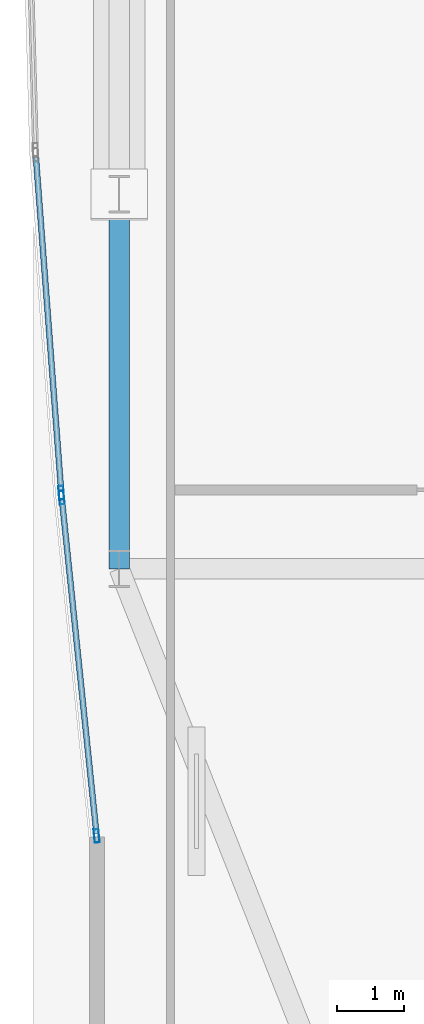
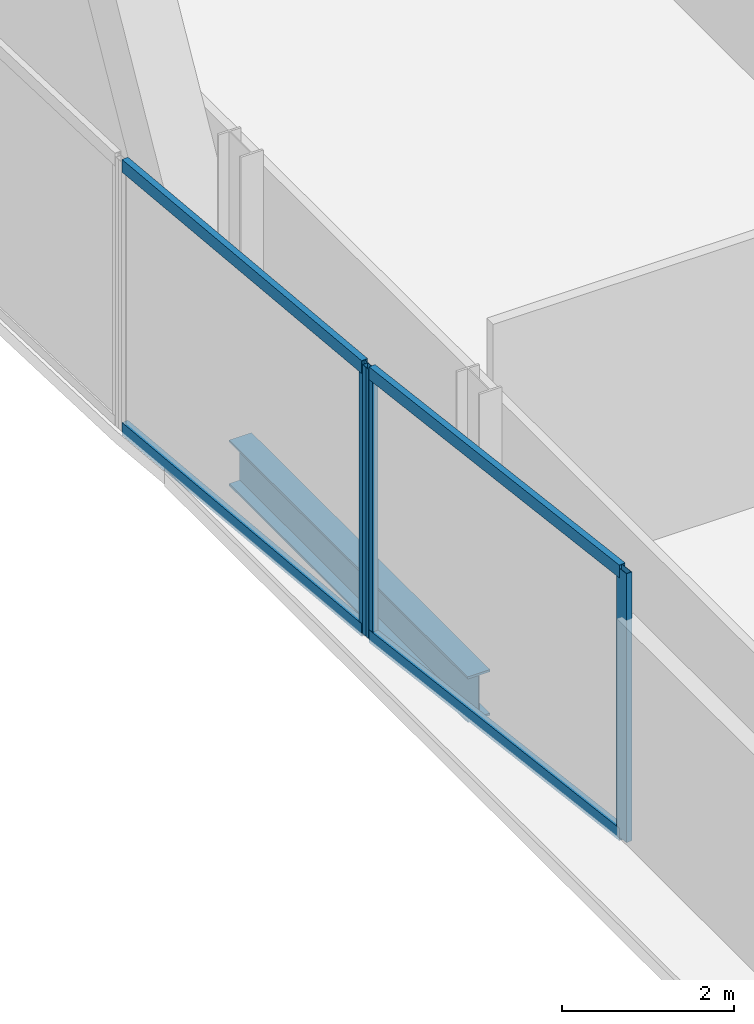
# One storey, part 6 of 35: 7 members, 1 beam, 2 elements without a shape of their own.
"""IFC4 building model written with IfcOpenShell, lengths in metres."""

from ifc_helpers import new_model, si_unit, direction, frame, origin, origin_2d, place, context, subcontext, project, spatial, hollow_rectangle, i_section, extrude, material, material_profile, profile_set, type_object, element, aggregate, save


model = new_model("IFC4")

# Units and contexts
model_context = context("Model", 3, precision=1e-05, world=origin(), true_north=direction((0.0, 1.0)))
body_context = subcontext(model_context, "Body", "Model", "MODEL_VIEW")
ifc_project = project(units=[si_unit("LENGTHUNIT", "METRE"), si_unit("AREAUNIT", "SQUARE_METRE"), si_unit("VOLUMEUNIT", "CUBIC_METRE"), si_unit("PLANEANGLEUNIT", "RADIAN"), si_unit("MASSUNIT", "GRAM", prefix="KILO")], contexts=[model_context])

# Site, building, storey
site_placement = place(None, origin())
site = spatial("IfcSite", under=ifc_project, at=site_placement, CompositionType="ELEMENT")
building_placement = place(site_placement, origin())
building = spatial("IfcBuilding", under=site, at=building_placement, Name="Khoronbel Lancet Exchange", CompositionType="ELEMENT")
storey_placement = place(building_placement, frame((0.0, 0.0, 25.800048828125)))
storey = spatial("IfcBuildingStorey", under=building, at=storey_placement, Name="L05", CompositionType="ELEMENT", Elevation=25.800048828125)

# Beam
ifc_material_1 = material(Name="Steel S355", Category="steel")
ifc_material_profile_1 = material_profile(ifc_material_1, i_section(OverallWidth=0.300048828125, OverallDepth=0.64990234375, WebThickness=0.01611328125, FlangeThickness=0.031005859375, at=origin_2d()), Name="HEB 650")
ifc_profile_set_1 = profile_set([ifc_material_profile_1], Name="Steel S355")
beam_type = type_object("IfcBeamType", Name="BM-BSP1", PredefinedType="SPANDREL", material=ifc_profile_set_1)
beam_placement = place(storey_placement, frame((1.27001953125, 24.75, -0.505126953125), z_axis=(0.0, -1.0, 0.0), x_axis=(1.0, 0.0, 0.0)))
element("IfcBeam", 1, at=beam_placement, inside=storey, type_object=beam_type, Name="Level L05 perimeter spandrel beam SP18", PredefinedType="SPANDREL", context=body_context, shape_type="SweptSolid", body=[
    extrude(i_section(OverallWidth=0.300048828125, OverallDepth=0.64990234375, WebThickness=0.01611328125, FlangeThickness=0.031005859375, at=origin_2d()), origin(), (0.0, 0.0, 1.0), 5.550048828125),
])

# Curtain wall, members
ifc_material_2 = material(Name="Low-E Solar Control Insulating Glass", Category="glass")
curtain_wall_type = type_object("IfcCurtainWallType", Name="CW-4", PredefinedType="NOTDEFINED", material=ifc_material_2)
curtain_wall_1_placement = place(storey_placement, origin())
curtain_wall_1 = element("IfcCurtainWall", 2, at=curtain_wall_1_placement, inside=storey, type_object=curtain_wall_type, Name="Unitised curtain wall CW-L05-E04", PredefinedType="NOTDEFINED")
ifc_material_3 = material(Name="Bronze-Anodised Aluminium 6063-T6", Category="aluminium")
ifc_material_profile_2 = material_profile(ifc_material_3, hollow_rectangle(XDim=0.074951171875, YDim=0.199951171875, WallThickness=0.0048828125, at=origin_2d()), Name="ALU MULLION 75x200")
ifc_profile_set_2 = profile_set([ifc_material_profile_2], Name="Bronze-Anodised Aluminium 6063-T6")
member_type_1 = type_object("IfcMemberType", Name="MEM-CWM2", PredefinedType="MULLION", material=ifc_profile_set_2)
member_1_placement = place(storey_placement, frame((0.93603515625, 15.241943359375, 0.0), z_axis=(0.0, 0.0, 1.0), x_axis=(-0.994709998998, -0.102723015403, 0.0)))
member_1 = element("IfcMember", 3, at=member_1_placement, type_object=member_type_1, Name="CW4 mullion 1", PredefinedType="MULLION", context=body_context, shape_type="SweptSolid", body=[
    extrude(hollow_rectangle(XDim=0.074951171875, YDim=0.199951171875, WallThickness=0.0048828125, at=origin_2d()), origin(), (0.0, 0.0, 1.0), 3.820068359375),
])
member_2_placement = place(storey_placement, frame((0.41845703125, 20.25390625, 0.0), z_axis=(0.0, 0.0, 1.0), x_axis=(-0.994709998998, -0.102723015403, 0.0)))
member_2 = element("IfcMember", 4, at=member_2_placement, type_object=member_type_1, Name="CW4 mullion 2", PredefinedType="MULLION", context=body_context, shape_type="SweptSolid", body=[
    extrude(hollow_rectangle(XDim=0.074951171875, YDim=0.199951171875, WallThickness=0.0048828125, at=origin_2d()), origin(), (0.0, 0.0, 1.0), 3.820068359375),
])

# Curtain wall, member
curtain_wall_2_placement = place(storey_placement, origin())
curtain_wall_2 = element("IfcCurtainWall", 5, at=curtain_wall_2_placement, inside=storey, type_object=curtain_wall_type, Name="Unitised curtain wall CW-L05-E05", PredefinedType="NOTDEFINED")
member_3_placement = place(storey_placement, frame((0.411865234375, 20.32861328125, 0.0), z_axis=(0.0, 0.0, 1.0), x_axis=(-0.997153744129, -0.075395030141, 0.0)))
member_3 = element("IfcMember", 6, at=member_3_placement, type_object=member_type_1, Name="CW4 mullion 1", PredefinedType="MULLION", context=body_context, shape_type="SweptSolid", body=[
    extrude(hollow_rectangle(XDim=0.074951171875, YDim=0.199951171875, WallThickness=0.0048828125, at=origin_2d()), origin(), (0.0, 0.0, 1.0), 3.820068359375),
])

# Member
ifc_material_profile_3 = material_profile(ifc_material_3, hollow_rectangle(XDim=0.0849609375, YDim=0.179931640625, WallThickness=0.0048828125, at=origin_2d()), Name="ALU TRANSOM 85x180")
ifc_profile_set_3 = profile_set([ifc_material_profile_3], Name="Bronze-Anodised Aluminium 6063-T6")
member_type_2 = type_object("IfcMemberType", Name="MEM-CWT1", PredefinedType="USERDEFINED", material=ifc_profile_set_3)
member_4_placement = place(storey_placement, frame((0.932373046875, 15.279296875, 0.04248046875), z_axis=(-0.102746446428, 0.994707579013, 0.0), x_axis=(-0.994707579013, -0.102746446428, 0.0)))
member_4 = element("IfcMember", 7, at=member_4_placement, type_object=member_type_2, Name="CW4 transom 1.1", ObjectType="TRANSOM", PredefinedType="USERDEFINED", context=body_context, shape_type="SweptSolid", body=[
    extrude(hollow_rectangle(XDim=0.0849609375, YDim=0.179931640625, WallThickness=0.0048828125, at=origin_2d()), origin(), (0.0, 0.0, 1.0), 4.9638671875),
])

member_5_placement = place(storey_placement, frame((0.932373046875, 15.279296875, 3.77734375), z_axis=(-0.102746446428, 0.994707579013, 0.0), x_axis=(-0.994707579013, -0.102746446428, 0.0)))
member_5 = element("IfcMember", 8, at=member_5_placement, type_object=member_type_2, Name="CW4 transom 1.2", ObjectType="TRANSOM", PredefinedType="USERDEFINED", context=body_context, shape_type="SweptSolid", body=[
    extrude(hollow_rectangle(XDim=0.0849609375, YDim=0.179931640625, WallThickness=0.0048828125, at=origin_2d()), origin(), (0.0, 0.0, 1.0), 4.9638671875),
])

aggregate(curtain_wall_1, [member_1, member_2, member_4, member_5])

member_6_placement = place(storey_placement, frame((0.408935546875, 20.365966796875, 0.04248046875), z_axis=(-0.07539383567, 0.997153834442, 0.0), x_axis=(-0.997153834442, -0.07539383567, 0.0)))
member_6 = element("IfcMember", 9, at=member_6_placement, type_object=member_type_2, Name="CW4 transom 1.1", ObjectType="TRANSOM", PredefinedType="USERDEFINED", context=body_context, shape_type="SweptSolid", body=[
    extrude(hollow_rectangle(XDim=0.0849609375, YDim=0.179931640625, WallThickness=0.0048828125, at=origin_2d()), origin(), (0.0, 0.0, 1.0), 4.94482421875),
])

member_7_placement = place(storey_placement, frame((0.408935546875, 20.365966796875, 3.77734375), z_axis=(-0.07539383567, 0.997153834442, 0.0), x_axis=(-0.997153834442, -0.07539383567, 0.0)))
member_7 = element("IfcMember", 10, at=member_7_placement, type_object=member_type_2, Name="CW4 transom 1.2", ObjectType="TRANSOM", PredefinedType="USERDEFINED", context=body_context, shape_type="SweptSolid", body=[
    extrude(hollow_rectangle(XDim=0.0849609375, YDim=0.179931640625, WallThickness=0.0048828125, at=origin_2d()), origin(), (0.0, 0.0, 1.0), 4.94482421875),
])

aggregate(curtain_wall_2, [member_3, member_6, member_7])

save(model, "model.ifc")
